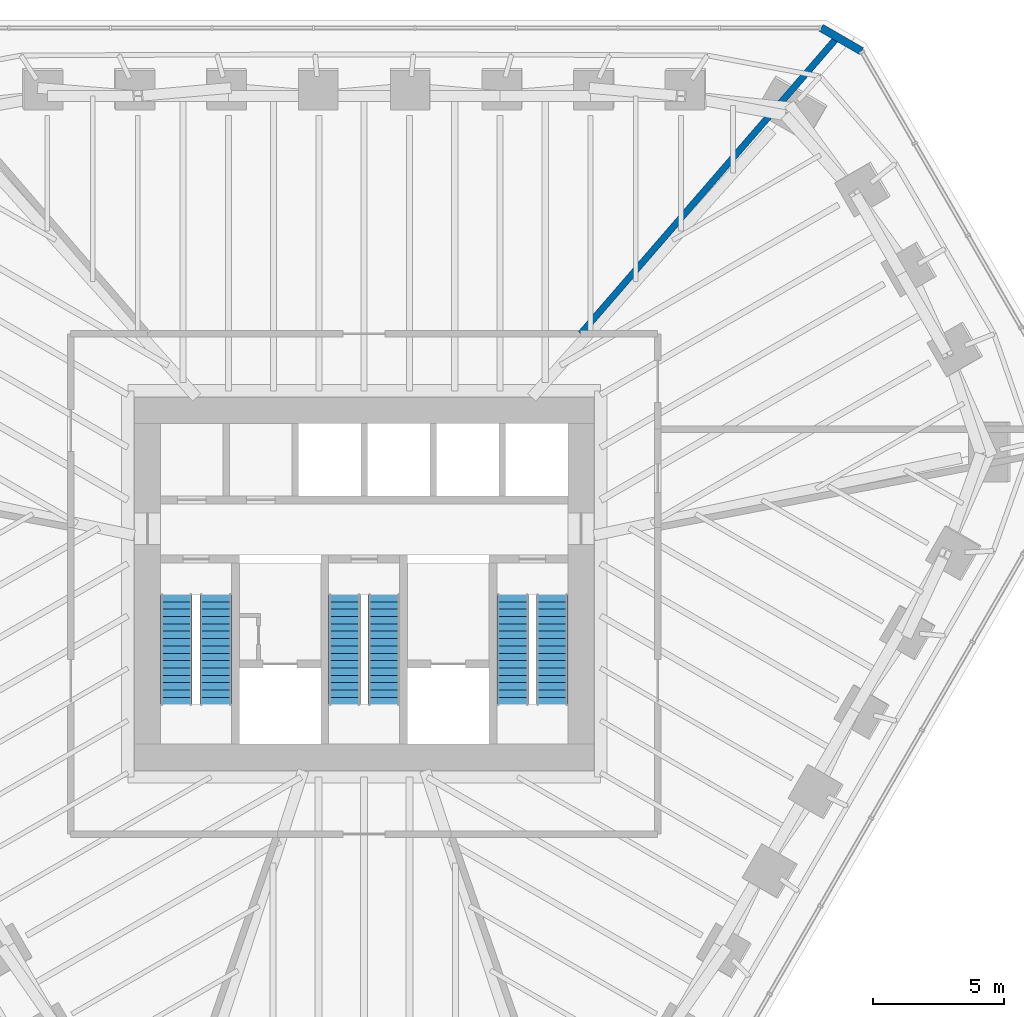
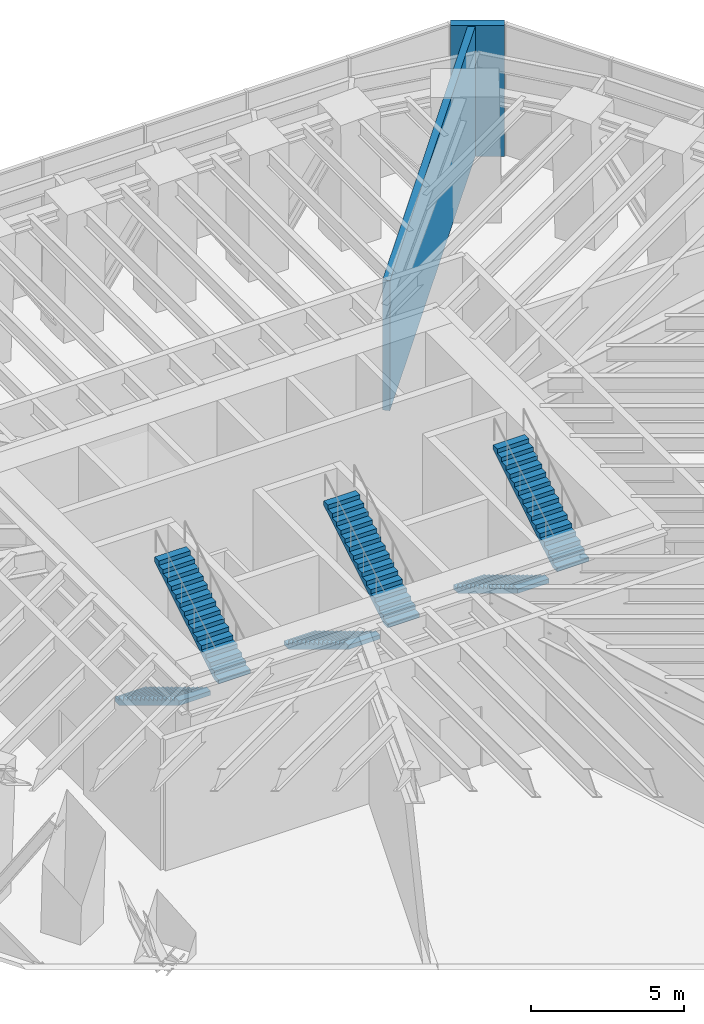
# One storey, part 12 of 13: 6 stair flights, 2 walls, 3 elements without a shape of their own.
"""IFC4 building model written with IfcOpenShell, lengths in metres."""

import ifcopenshell
import ifcopenshell.guid

model = None  # the IFC model being written
_history = None  # IfcOwnerHistory: only IFC2X3 demands one
_inside = {}  # id of a spatial element -> (the spatial element, [elements in it])
_under = {}  # id of a project, library or spatial element -> (it, [spatial elements below it])
_declared = {}  # id of a project -> (the project, [libraries it declares])
_typed = {}  # id of a type object -> (the type object, [elements of that type])
_made_of = {}  # id of a material, layer set ... -> (it, [elements and type objects made of it])


def new_model(schema):
    """Start an empty IFC model of exactly this schema.

    Asked for "IFC4X3", IfcOpenShell would pick the latest addendum, in which some entities
    have other attributes; the version numbers below select the first issue.
    IFC2X3 requires an IfcOwnerHistory on every rooted entity: one is made here for all.
    """
    global model, _history
    if schema == "IFC4X3":
        model = ifcopenshell.file(schema_version=(4, 3, 0, 0))
    else:
        model = ifcopenshell.file(schema=schema)
    _inside.clear()
    _under.clear()
    _declared.clear()
    _typed.clear()
    _made_of.clear()
    _history = None
    if model.schema == "IFC2X3":
        org = make("IfcOrganization", Name="unknown")
        user = make(
            "IfcPersonAndOrganization",
            ThePerson=make("IfcPerson", FamilyName="unknown"),
            TheOrganization=org,
        )
        app = make(
            "IfcApplication",
            ApplicationDeveloper=org,
            Version="unknown",
            ApplicationFullName="unknown",
            ApplicationIdentifier="unknown",
        )
        _history = make(
            "IfcOwnerHistory",
            OwningUser=user,
            OwningApplication=app,
            ChangeAction="ADDED",
            CreationDate=0,
        )
    return model


def make(cls, **values):
    """One entity of the class cls with the attributes given. An attribute that is None is left unset."""
    return model.create_entity(
        cls, **{name: value for name, value in values.items() if value is not None}
    )


def rooted(cls, **values):
    """An entity with a GlobalId (a new one), such as an element, a storey or a relation."""
    return make(cls, GlobalId=ifcopenshell.guid.new(), OwnerHistory=_history, **values)


def si_unit(unit_type, name, prefix=None):
    """IfcSIUnit, for example si_unit("LENGTHUNIT", "METRE", prefix="MILLI")."""
    return make("IfcSIUnit", UnitType=unit_type, Prefix=prefix, Name=name)


def assignment(units):
    """IfcUnitAssignment: the units of a project."""
    return None if units is None else make("IfcUnitAssignment", Units=units)


def point(xyz):
    """IfcCartesianPoint."""
    return None if xyz is None else make("IfcCartesianPoint", Coordinates=xyz)


def direction(xyz):
    """IfcDirection."""
    return None if xyz is None else make("IfcDirection", DirectionRatios=xyz)


def frame(location, z_axis=None, x_axis=None):
    """IfcAxis2Placement3D, a coordinate frame: its origin and axes. An axis left out is left unset."""
    return make(
        "IfcAxis2Placement3D",
        Location=point(location),
        Axis=direction(z_axis),
        RefDirection=direction(x_axis),
    )


def frame_2d(location, x_axis=None):
    """IfcAxis2Placement2D, a coordinate frame in the plane: its origin and x axis."""
    return make(
        "IfcAxis2Placement2D", Location=point(location), RefDirection=direction(x_axis)
    )


def origin():
    """The frame at (0, 0, 0) with its axes left unset."""
    return frame((0.0, 0.0, 0.0))


def place(relative_to, where):
    """IfcLocalPlacement: puts the frame where relative to a parent placement (None: the world)."""
    return make(
        "IfcLocalPlacement", PlacementRelTo=relative_to, RelativePlacement=where
    )


def context(
    kind, dimensions, precision=None, world=None, true_north=None, identifier=None
):
    """IfcGeometricRepresentationContext, for example the 3D "Model" context."""
    return make(
        "IfcGeometricRepresentationContext",
        ContextIdentifier=identifier,
        ContextType=kind,
        CoordinateSpaceDimension=dimensions,
        Precision=precision,
        WorldCoordinateSystem=world,
        TrueNorth=true_north,
    )


def subcontext(parent, identifier, kind, view, scale=None):
    """IfcGeometricRepresentationSubContext, for example "Body" below "Model"."""
    return make(
        "IfcGeometricRepresentationSubContext",
        ContextIdentifier=identifier,
        ContextType=kind,
        ParentContext=parent,
        TargetScale=scale,
        TargetView=view,
    )


def project(units=None, contexts=None):
    """IfcProject with its units and contexts."""
    return rooted(
        "IfcProject",
        Name="project",
        RepresentationContexts=contexts,
        UnitsInContext=assignment(units),
    )


def spatial(cls, under=None, at=None, **own):
    """A site, building, storey or space (cls), placed at a placement, below another one or the project."""
    s = rooted(cls, ObjectPlacement=at, **own)
    if under is not None:
        _under.setdefault(under.id(), (under, []))[1].append(s)
    return s


def polyline(points):
    """IfcPolyline through the points."""
    return make("IfcPolyline", Points=[point(p) for p in points])


def profile(cls, at=None, kind="AREA", **sizes):
    """A parametric profile (cls). Its sizes go by their IFC names, for example OverallWidth=200.0."""
    return make(cls, ProfileType=kind, Position=at, **sizes)


def rectangle(**sizes):
    """IfcRectangleProfileDef."""
    return profile("IfcRectangleProfileDef", **sizes)


def outline(outer, holes=None, kind="AREA"):
    """IfcArbitraryClosedProfileDef: a profile drawn as a closed curve; with holes, ...WithVoids."""
    if holes is None:
        return make("IfcArbitraryClosedProfileDef", ProfileType=kind, OuterCurve=outer)
    return make(
        "IfcArbitraryProfileDefWithVoids",
        ProfileType=kind,
        OuterCurve=outer,
        InnerCurves=holes,
    )


def extrude(swept, where, along, depth):
    """IfcExtrudedAreaSolid: the profile swept, set in the frame where, extruded along a direction by depth."""
    return make(
        "IfcExtrudedAreaSolid",
        SweptArea=swept,
        Position=where,
        ExtrudedDirection=direction(along),
        Depth=depth,
    )


def shape(context_of_items, identifier, shape_type, items):
    """IfcShapeRepresentation: the items that make up one representation, for example the "Body"."""
    return make(
        "IfcShapeRepresentation",
        ContextOfItems=context_of_items,
        RepresentationIdentifier=identifier,
        RepresentationType=shape_type,
        Items=items,
    )


def material(Name=None, Category=None):
    """IfcMaterial."""
    return make("IfcMaterial", Name=Name, Category=Category)


def layer(
    of_material, thickness, ventilated=None, Name=None, Category=None, Priority=None
):
    """IfcMaterialLayer: one layer of a wall or slab, of a material (None: an air gap)."""
    return make(
        "IfcMaterialLayer",
        Material=of_material,
        LayerThickness=thickness,
        IsVentilated=ventilated,
        Name=Name,
        Category=Category,
        Priority=Priority,
    )


def layer_set(layers, Name=None):
    """IfcMaterialLayerSet."""
    return make("IfcMaterialLayerSet", MaterialLayers=layers, LayerSetName=Name)


def made_of(thing, what):
    """Note that an element or type object is made of a material, layer set ...; save() writes the relation."""
    if what is not None:
        _made_of.setdefault(what.id(), (what, []))[1].append(thing)
    return thing


def type_object(cls, material=None, **own):
    """A type object (cls), such as IfcWallType, which elements share."""
    return made_of(rooted(cls, **own), material)


def element(
    cls,
    number,
    at=None,
    inside=None,
    cuts=None,
    type_object=None,
    material=None,
    context=None,
    identifier="Body",
    shape_type=None,
    held_by="IfcProductDefinitionShape",
    body=None,
    shapes=None,
    **own,
):
    """One element of the class cls, such as IfcWall. Its Tag is "e" and its number.

    at: its placement. inside: the storey or other place that contains it. cuts: it is an
    opening in that element (IfcRelVoidsElement). A single representation is given by context,
    identifier, shape_type and body (its items); several are given by shapes. held_by: the class
    of the entity that holds the representations. save() writes the other relations.
    """
    e = rooted(cls, Tag="e%d" % number, ObjectPlacement=at, **own)
    if body is not None:
        shapes = [shape(context, identifier, shape_type, body)]
    if shapes is not None:
        e.Representation = make(held_by, Representations=shapes)
    if inside is not None:
        _inside.setdefault(inside.id(), (inside, []))[1].append(e)
    if cuts is not None:
        rooted(
            "IfcRelVoidsElement", RelatingBuildingElement=cuts, RelatedOpeningElement=e
        )
    if type_object is not None:
        _typed.setdefault(type_object.id(), (type_object, []))[1].append(e)
    return made_of(e, material)


def aggregate(whole, parts):
    """IfcRelAggregates: a whole, such as a stair, and the parts it consists of."""
    return rooted("IfcRelAggregates", RelatingObject=whole, RelatedObjects=parts)


def save(model, path):
    """Write the relations noted so far, then the file.

    IfcRelAggregates (storeys below a building ...), IfcRelContainedInSpatialStructure (elements
    in a storey), IfcRelDefinesByType, IfcRelAssociatesMaterial and IfcRelDeclares: one each for
    every whole, place, type object, material and project.
    """
    for whole, parts in _under.values():
        aggregate(whole, parts)
    for where, things in _inside.values():
        rooted(
            "IfcRelContainedInSpatialStructure",
            RelatedElements=things,
            RelatingStructure=where,
        )
    for kind, things in _typed.values():
        rooted("IfcRelDefinesByType", RelatedObjects=things, RelatingType=kind)
    for what, things in _made_of.values():
        rooted("IfcRelAssociatesMaterial", RelatedObjects=things, RelatingMaterial=what)
    for by, libraries in _declared.values():
        rooted("IfcRelDeclares", RelatingContext=by, RelatedDefinitions=libraries)
    model.write(path)


model = new_model("IFC4")

# Units and contexts
model_context = context("Model", 3, precision=1e-05, world=origin(), true_north=direction((0.0, 1.0)))
body_context = subcontext(model_context, "Body", "Model", "MODEL_VIEW")
ifc_project = project(units=[si_unit("LENGTHUNIT", "METRE"), si_unit("AREAUNIT", "SQUARE_METRE"), si_unit("VOLUMEUNIT", "CUBIC_METRE"), si_unit("PLANEANGLEUNIT", "RADIAN"), si_unit("MASSUNIT", "GRAM", prefix="KILO")], contexts=[model_context])

# Site, building, storey
site_placement = place(None, origin())
site = spatial("IfcSite", under=ifc_project, at=site_placement, CompositionType="ELEMENT")
building_placement = place(site_placement, origin())
building = spatial("IfcBuilding", under=site, at=building_placement, Name="Sandreach Pilgrim Tower", CompositionType="ELEMENT")
storey_placement = place(building_placement, frame((0.0, 0.0, 251.60009765625)))
storey = spatial("IfcBuildingStorey", under=building, at=storey_placement, Name="L63", CompositionType="ELEMENT", Elevation=251.60009765625)

# Walls
ifc_material_1 = material(Name="Acoustic gypsum board wall, double frame", Category="gypsum")
ifc_layer_1 = layer(ifc_material_1, 0.25)
ifc_layer_set_1 = layer_set([ifc_layer_1], Name="Hall partition 250")
wall_type_1 = type_object("IfcWallType", Name="Hall partition 250", PredefinedType="PARTITIONING", material=ifc_layer_set_1)
wall_1_placement = place(storey_placement, frame((18.020263671875, 20.8173828125, 0.0), z_axis=(0.0, 0.0, 1.0), x_axis=(-0.654518662261, -0.756045845668, 0.0)))
element("IfcWall", 1, at=wall_1_placement, inside=storey, type_object=wall_type_1, Name="Hall partition L63-017", PredefinedType="PARTITIONING", context=body_context, shape_type="SweptSolid", body=[
    extrude(rectangle(XDim=14.942626953125, YDim=0.25, at=frame_2d((7.47119140625, 0.0))), origin(), (0.0, 0.0, 1.0), 5.199951171875),
])
ifc_material_2 = material(Name="Terracotta rainscreen on concrete", Category="masonry")
ifc_layer_2 = layer(ifc_material_2, 0.300048828125)
ifc_layer_set_2 = layer_set([ifc_layer_2], Name="Terracotta chamfer pier")
wall_type_2 = type_object("IfcWallType", Name="Terracotta chamfer pier", PredefinedType="SOLIDWALL", material=ifc_layer_set_2)
wall_2_placement = place(storey_placement, frame((17.389892578125, 21.16015625, 0.0), z_axis=(0.0, 0.0, 1.0), x_axis=(0.866036293601, -0.499981137809, 0.0)))
element("IfcWall", 2, at=wall_2_placement, inside=storey, type_object=wall_type_2, Name="Chamfer pier L63 N", PredefinedType="SOLIDWALL", context=body_context, shape_type="SweptSolid", body=[
    extrude(rectangle(XDim=1.77001953125, YDim=0.300048828125, at=frame_2d((0.885009765625, 0.0))), origin(), (0.0, 0.0, 1.0), 5.239990234375),
])

# Stair, stair flights
ifc_material_3 = material(Name="Concrete 8000 psi", Category="concrete")
stair_type = type_object("IfcStairType", Name="Core exit stair", PredefinedType="HALF_TURN_STAIR", material=ifc_material_3)
stair_1_placement = place(storey_placement, origin())
stair_1 = element("IfcStair", 3, at=stair_1_placement, inside=storey, type_object=stair_type, Name="Exit stair ST1 L63", PredefinedType="HALF_TURN_STAIR")
ifc_material_4 = material(Name="Concrete 8000 psi", Category="concrete")
stair_flight_type = type_object("IfcStairFlightType", Name="Core stair flight 1200", PredefinedType="STRAIGHT", material=ifc_material_4)
stair_flight_1_placement = place(storey_placement, frame((-7.14990234375, -0.39990234375, 0.0), z_axis=(0.0, 0.0, 1.0), x_axis=(0.0, -1.0, 0.0)))
stair_flight_1 = element("IfcStairFlight", 4, at=stair_flight_1_placement, type_object=stair_flight_type, Name="ST1 flight 1", NumberOfRisers=16, NumberOfTreads=15, PredefinedType="STRAIGHT", RiserHeight=0.16875, TreadLength=0.28, context=body_context, shape_type="SweptSolid", body=[
    extrude(outline(polyline([(0.0, 0.0), (0.0, 0.168701171875), (0.280029296875, 0.168701171875), (0.280029296875, 0.33740234375), (0.56005859375, 0.33740234375), (0.56005859375, 0.50634765625), (0.840087890625, 0.50634765625), (0.840087890625, 0.675048828125), (1.1201171875, 0.675048828125), (1.1201171875, 0.84375), (1.39990234375, 0.84375), (1.39990234375, 1.012451171875), (1.679931640625, 1.012451171875), (1.679931640625, 1.18115234375), (1.9599609375, 1.18115234375), (1.9599609375, 1.35009765625), (2.239990234375, 1.35009765625), (2.239990234375, 1.518798828125), (2.52001953125, 1.518798828125), (2.52001953125, 1.6875), (2.800048828125, 1.6875), (2.800048828125, 1.856201171875), (3.080078125, 1.856201171875), (3.080078125, 2.02490234375), (3.360107421875, 2.02490234375), (3.360107421875, 2.19384765625), (3.639892578125, 2.19384765625), (3.639892578125, 2.362548828125), (3.919921875, 2.362548828125), (3.919921875, 2.53125), (4.199951171875, 2.53125), (4.199951171875, 2.699951171875), (4.199951171875, 2.356201171875), (0.29052734375, 0.0), (0.0, 0.0)])), frame((0.0, 0.60009765625, 0.0), z_axis=(0.0, -1.0, 0.0), x_axis=(1.0, 0.0, 0.0)), (0.0, 0.0, 1.0), 1.199951171875),
])
stair_flight_2_placement = place(storey_placement, frame((-5.64990234375, -4.60009765625, 2.699951171875), z_axis=(0.0, 0.0, 1.0), x_axis=(0.0, 1.0, 0.0)))
stair_flight_2 = element("IfcStairFlight", 5, at=stair_flight_2_placement, type_object=stair_flight_type, Name="ST1 flight 2", NumberOfRisers=16, NumberOfTreads=15, PredefinedType="STRAIGHT", RiserHeight=0.16875, TreadLength=0.28, context=body_context, shape_type="SweptSolid", body=[
    extrude(outline(polyline([(0.0, 0.0), (0.0, 0.168701171875), (0.280029296875, 0.168701171875), (0.280029296875, 0.33740234375), (0.56005859375, 0.33740234375), (0.56005859375, 0.50634765625), (0.840087890625, 0.50634765625), (0.840087890625, 0.675048828125), (1.1201171875, 0.675048828125), (1.1201171875, 0.84375), (1.39990234375, 0.84375), (1.39990234375, 1.012451171875), (1.679931640625, 1.012451171875), (1.679931640625, 1.18115234375), (1.9599609375, 1.18115234375), (1.9599609375, 1.35009765625), (2.239990234375, 1.35009765625), (2.239990234375, 1.518798828125), (2.52001953125, 1.518798828125), (2.52001953125, 1.6875), (2.800048828125, 1.6875), (2.800048828125, 1.856201171875), (3.080078125, 1.856201171875), (3.080078125, 2.02490234375), (3.360107421875, 2.02490234375), (3.360107421875, 2.19384765625), (3.639892578125, 2.19384765625), (3.639892578125, 2.362548828125), (3.919921875, 2.362548828125), (3.919921875, 2.53125), (4.199951171875, 2.53125), (4.199951171875, 2.699951171875), (4.199951171875, 2.356201171875), (0.29052734375, 0.0), (0.0, 0.0)])), frame((0.0, 0.60009765625, 0.0), z_axis=(0.0, -1.0, 0.0), x_axis=(1.0, 0.0, 0.0)), (0.0, 0.0, 1.0), 1.199951171875),
])
aggregate(stair_1, [stair_flight_1, stair_flight_2])

stair_2_placement = place(storey_placement, origin())
stair_2 = element("IfcStair", 6, at=stair_2_placement, inside=storey, type_object=stair_type, Name="Exit stair ST3 L63", PredefinedType="HALF_TURN_STAIR")
stair_flight_3_placement = place(storey_placement, frame((-0.75, -0.39990234375, 0.0), z_axis=(0.0, 0.0, 1.0), x_axis=(0.0, -1.0, 0.0)))
stair_flight_3 = element("IfcStairFlight", 7, at=stair_flight_3_placement, type_object=stair_flight_type, Name="ST3 flight 1", NumberOfRisers=16, NumberOfTreads=15, PredefinedType="STRAIGHT", RiserHeight=0.16875, TreadLength=0.28, context=body_context, shape_type="SweptSolid", body=[
    extrude(outline(polyline([(0.0, 0.0), (0.0, 0.168701171875), (0.280029296875, 0.168701171875), (0.280029296875, 0.33740234375), (0.56005859375, 0.33740234375), (0.56005859375, 0.50634765625), (0.840087890625, 0.50634765625), (0.840087890625, 0.675048828125), (1.1201171875, 0.675048828125), (1.1201171875, 0.84375), (1.39990234375, 0.84375), (1.39990234375, 1.012451171875), (1.679931640625, 1.012451171875), (1.679931640625, 1.18115234375), (1.9599609375, 1.18115234375), (1.9599609375, 1.35009765625), (2.239990234375, 1.35009765625), (2.239990234375, 1.518798828125), (2.52001953125, 1.518798828125), (2.52001953125, 1.6875), (2.800048828125, 1.6875), (2.800048828125, 1.856201171875), (3.080078125, 1.856201171875), (3.080078125, 2.02490234375), (3.360107421875, 2.02490234375), (3.360107421875, 2.19384765625), (3.639892578125, 2.19384765625), (3.639892578125, 2.362548828125), (3.919921875, 2.362548828125), (3.919921875, 2.53125), (4.199951171875, 2.53125), (4.199951171875, 2.699951171875), (4.199951171875, 2.356201171875), (0.29052734375, 0.0), (0.0, 0.0)])), frame((0.0, 0.60009765625, 0.0), z_axis=(0.0, -1.0, 0.0), x_axis=(1.0, 0.0, 0.0)), (0.0, 0.0, 1.0), 1.199951171875),
])
stair_flight_4_placement = place(storey_placement, frame((0.75, -4.60009765625, 2.699951171875), z_axis=(0.0, 0.0, 1.0), x_axis=(0.0, 1.0, 0.0)))
stair_flight_4 = element("IfcStairFlight", 8, at=stair_flight_4_placement, type_object=stair_flight_type, Name="ST3 flight 2", NumberOfRisers=16, NumberOfTreads=15, PredefinedType="STRAIGHT", RiserHeight=0.16875, TreadLength=0.28, context=body_context, shape_type="SweptSolid", body=[
    extrude(outline(polyline([(0.0, 0.0), (0.0, 0.168701171875), (0.280029296875, 0.168701171875), (0.280029296875, 0.33740234375), (0.56005859375, 0.33740234375), (0.56005859375, 0.50634765625), (0.840087890625, 0.50634765625), (0.840087890625, 0.675048828125), (1.1201171875, 0.675048828125), (1.1201171875, 0.84375), (1.39990234375, 0.84375), (1.39990234375, 1.012451171875), (1.679931640625, 1.012451171875), (1.679931640625, 1.18115234375), (1.9599609375, 1.18115234375), (1.9599609375, 1.35009765625), (2.239990234375, 1.35009765625), (2.239990234375, 1.518798828125), (2.52001953125, 1.518798828125), (2.52001953125, 1.6875), (2.800048828125, 1.6875), (2.800048828125, 1.856201171875), (3.080078125, 1.856201171875), (3.080078125, 2.02490234375), (3.360107421875, 2.02490234375), (3.360107421875, 2.19384765625), (3.639892578125, 2.19384765625), (3.639892578125, 2.362548828125), (3.919921875, 2.362548828125), (3.919921875, 2.53125), (4.199951171875, 2.53125), (4.199951171875, 2.699951171875), (4.199951171875, 2.356201171875), (0.29052734375, 0.0), (0.0, 0.0)])), frame((0.0, 0.60009765625, 0.0), z_axis=(0.0, -1.0, 0.0), x_axis=(1.0, 0.0, 0.0)), (0.0, 0.0, 1.0), 1.199951171875),
])
aggregate(stair_2, [stair_flight_3, stair_flight_4])

stair_3_placement = place(storey_placement, origin())
stair_3 = element("IfcStair", 9, at=stair_3_placement, inside=storey, type_object=stair_type, Name="Exit stair ST2 L63", PredefinedType="HALF_TURN_STAIR")
stair_flight_5_placement = place(storey_placement, frame((5.64990234375, -0.39990234375, 0.0), z_axis=(0.0, 0.0, 1.0), x_axis=(0.0, -1.0, 0.0)))
stair_flight_5 = element("IfcStairFlight", 10, at=stair_flight_5_placement, type_object=stair_flight_type, Name="ST2 flight 1", NumberOfRisers=16, NumberOfTreads=15, PredefinedType="STRAIGHT", RiserHeight=0.16875, TreadLength=0.28, context=body_context, shape_type="SweptSolid", body=[
    extrude(outline(polyline([(0.0, 0.0), (0.0, 0.168701171875), (0.280029296875, 0.168701171875), (0.280029296875, 0.33740234375), (0.56005859375, 0.33740234375), (0.56005859375, 0.50634765625), (0.840087890625, 0.50634765625), (0.840087890625, 0.675048828125), (1.1201171875, 0.675048828125), (1.1201171875, 0.84375), (1.39990234375, 0.84375), (1.39990234375, 1.012451171875), (1.679931640625, 1.012451171875), (1.679931640625, 1.18115234375), (1.9599609375, 1.18115234375), (1.9599609375, 1.35009765625), (2.239990234375, 1.35009765625), (2.239990234375, 1.518798828125), (2.52001953125, 1.518798828125), (2.52001953125, 1.6875), (2.800048828125, 1.6875), (2.800048828125, 1.856201171875), (3.080078125, 1.856201171875), (3.080078125, 2.02490234375), (3.360107421875, 2.02490234375), (3.360107421875, 2.19384765625), (3.639892578125, 2.19384765625), (3.639892578125, 2.362548828125), (3.919921875, 2.362548828125), (3.919921875, 2.53125), (4.199951171875, 2.53125), (4.199951171875, 2.699951171875), (4.199951171875, 2.356201171875), (0.29052734375, 0.0), (0.0, 0.0)])), frame((0.0, 0.60009765625, 0.0), z_axis=(0.0, -1.0, 0.0), x_axis=(1.0, 0.0, 0.0)), (0.0, 0.0, 1.0), 1.199951171875),
])
stair_flight_6_placement = place(storey_placement, frame((7.14990234375, -4.60009765625, 2.699951171875), z_axis=(0.0, 0.0, 1.0), x_axis=(0.0, 1.0, 0.0)))
stair_flight_6 = element("IfcStairFlight", 11, at=stair_flight_6_placement, type_object=stair_flight_type, Name="ST2 flight 2", NumberOfRisers=16, NumberOfTreads=15, PredefinedType="STRAIGHT", RiserHeight=0.16875, TreadLength=0.28, context=body_context, shape_type="SweptSolid", body=[
    extrude(outline(polyline([(0.0, 0.0), (0.0, 0.168701171875), (0.280029296875, 0.168701171875), (0.280029296875, 0.33740234375), (0.56005859375, 0.33740234375), (0.56005859375, 0.50634765625), (0.840087890625, 0.50634765625), (0.840087890625, 0.675048828125), (1.1201171875, 0.675048828125), (1.1201171875, 0.84375), (1.39990234375, 0.84375), (1.39990234375, 1.012451171875), (1.679931640625, 1.012451171875), (1.679931640625, 1.18115234375), (1.9599609375, 1.18115234375), (1.9599609375, 1.35009765625), (2.239990234375, 1.35009765625), (2.239990234375, 1.518798828125), (2.52001953125, 1.518798828125), (2.52001953125, 1.6875), (2.800048828125, 1.6875), (2.800048828125, 1.856201171875), (3.080078125, 1.856201171875), (3.080078125, 2.02490234375), (3.360107421875, 2.02490234375), (3.360107421875, 2.19384765625), (3.639892578125, 2.19384765625), (3.639892578125, 2.362548828125), (3.919921875, 2.362548828125), (3.919921875, 2.53125), (4.199951171875, 2.53125), (4.199951171875, 2.699951171875), (4.199951171875, 2.356201171875), (0.29052734375, 0.0), (0.0, 0.0)])), frame((0.0, 0.60009765625, 0.0), z_axis=(0.0, -1.0, 0.0), x_axis=(1.0, 0.0, 0.0)), (0.0, 0.0, 1.0), 1.199951171875),
])
aggregate(stair_3, [stair_flight_5, stair_flight_6])

save(model, "model.ifc")
